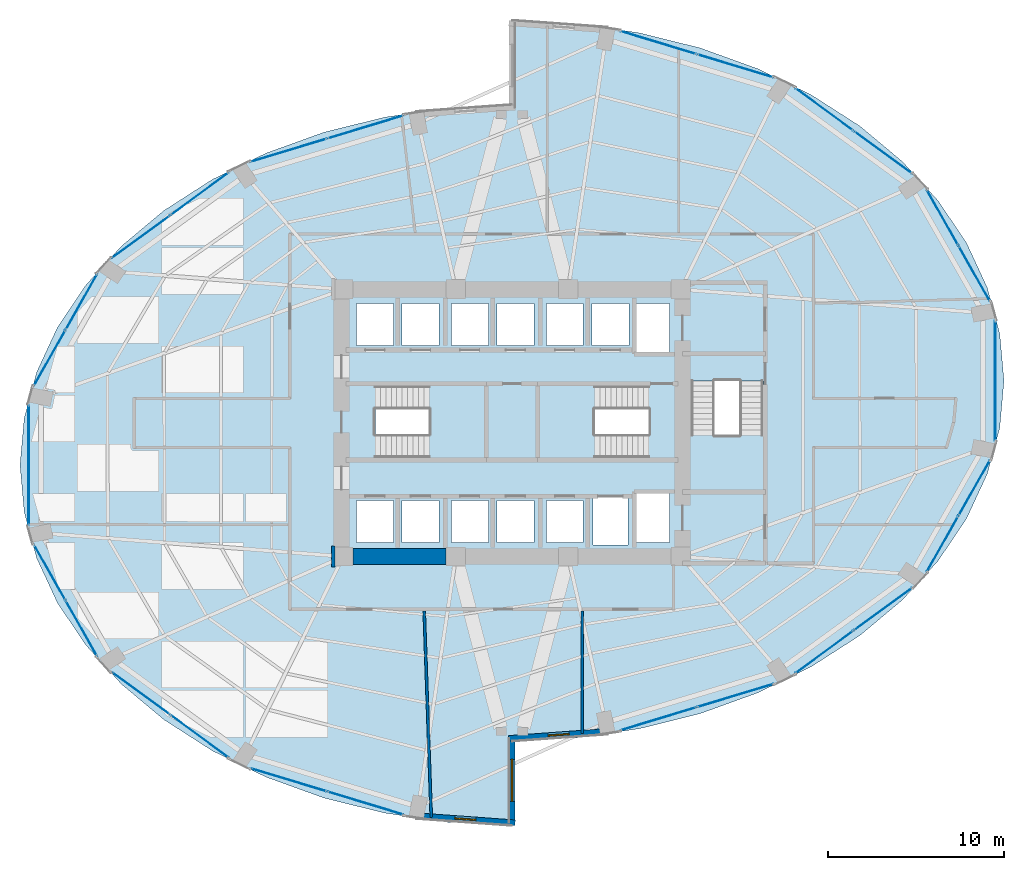
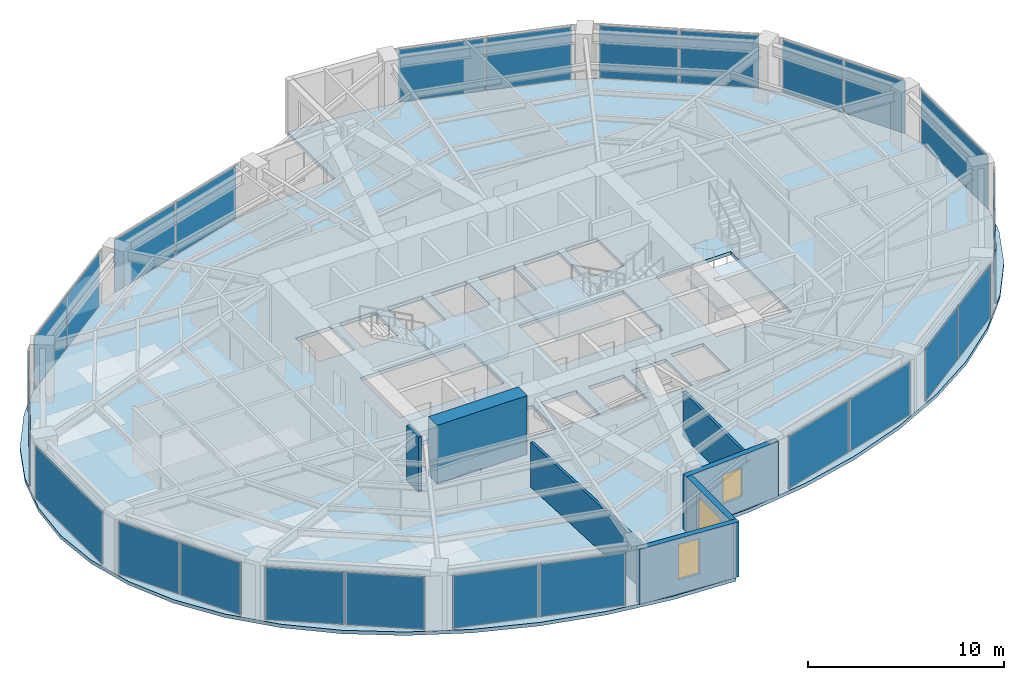
# One storey, part 19 of 24: 26 plates, 7 walls, 4 slabs, 3 windows, 3 openings, 17 elements without a shape of their own.
"""IFC4 building model written with IfcOpenShell, lengths in metres."""

from ifc_helpers import new_model, si_unit, direction, frame, frame_2d, origin, origin_2d, place, context, subcontext, project, spatial, polyline, rectangle, outline, extrude, material, layer, layer_set, type_object, element, fill, aggregate, save


model = new_model("IFC4")

# Units and contexts
model_context = context("Model", 3, precision=1e-05, world=origin(), true_north=direction((0.0, 1.0)))
body_context = subcontext(model_context, "Body", "Model", "MODEL_VIEW")
ifc_project = project(units=[si_unit("LENGTHUNIT", "METRE"), si_unit("AREAUNIT", "SQUARE_METRE"), si_unit("VOLUMEUNIT", "CUBIC_METRE"), si_unit("PLANEANGLEUNIT", "RADIAN"), si_unit("MASSUNIT", "GRAM", prefix="KILO")], contexts=[model_context])

# Site, building, storey
site_placement = place(None, origin())
site = spatial("IfcSite", under=ifc_project, at=site_placement, CompositionType="ELEMENT")
building_placement = place(site_placement, origin())
building = spatial("IfcBuilding", under=site, at=building_placement, Name="Lazwardi Medical Tower", CompositionType="ELEMENT")
storey_placement = place(building_placement, frame((0.0, 0.0, 68.97607421875)))
storey = spatial("IfcBuildingStorey", under=building, at=storey_placement, Name="L17", CompositionType="ELEMENT", Elevation=68.97607421875)

# Curtain wall, plates
ifc_material_1 = material(Name="Anodised bronze aluminium and solar control glazing", Category="aluminium")
ifc_layer_1 = layer(ifc_material_1, 0.199951171875)
ifc_layer_set_1 = layer_set([ifc_layer_1], Name="Anodised bronze aluminium and solar control glazing")
curtain_wall_type = type_object("IfcCurtainWallType", Name="CW-SYS-02", PredefinedType="NOTDEFINED", material=ifc_layer_set_1)
curtain_wall_1_placement = place(storey_placement, origin())
curtain_wall_1 = element("IfcCurtainWall", 1, at=curtain_wall_1_placement, inside=storey, type_object=curtain_wall_type, Name="L17 Unitised bronze curtain wall CW-02", PredefinedType="NOTDEFINED")
ifc_material_2 = material(Name="Low-e bronze solar control double glazing", Category="glass")
ifc_layer_2 = layer(ifc_material_2, 0.035888671875)
ifc_layer_set_2 = layer_set([ifc_layer_2], Name="Low-e bronze solar control double glazing")
plate_type = type_object("IfcPlateType", Name="PLT-GLZ-01", PredefinedType="CURTAIN_PANEL", material=ifc_layer_set_2)
plate_1_placement = place(storey_placement, frame((44.335693359375, 11.158935546875, 0.07470703125), z_axis=(0.0, 0.0, 1.0), x_axis=(0.957058247129, 0.2898956909, 0.0)))
plate_1 = element("IfcPlate", 2, at=plate_1_placement, type_object=plate_type, Name="CW-02 panel 1.1", PredefinedType="CURTAIN_PANEL", context=body_context, shape_type="SweptSolid", body=[
    extrude(rectangle(XDim=4.49658203125, YDim=0.035888671875, at=origin_2d()), origin(), (0.0, 0.0, 1.0), 3.278076171875),
])
plate_2_placement = place(storey_placement, frame((48.7109375, 12.484130859375, 0.07470703125), z_axis=(0.0, 0.0, 1.0), x_axis=(0.957058247129, 0.2898956909, 0.0)))
plate_2 = element("IfcPlate", 3, at=plate_2_placement, type_object=plate_type, Name="CW-02 panel 2.1", PredefinedType="CURTAIN_PANEL", context=body_context, shape_type="SweptSolid", body=[
    extrude(rectangle(XDim=4.49658203125, YDim=0.035888671875, at=origin_2d()), origin(), (0.0, 0.0, 1.0), 3.278076171875),
])
aggregate(curtain_wall_1, [plate_1, plate_2])

curtain_wall_2_placement = place(storey_placement, origin())
curtain_wall_2 = element("IfcCurtainWall", 4, at=curtain_wall_2_placement, inside=storey, type_object=curtain_wall_type, Name="L17 Unitised bronze curtain wall CW-02", PredefinedType="NOTDEFINED")
plate_3_placement = place(storey_placement, frame((53.771484375, 14.957275390625, 0.07470703125), z_axis=(0.0, 0.0, 1.0), x_axis=(0.807191757663, 0.590289307341, 0.0)))
plate_3 = element("IfcPlate", 5, at=plate_3_placement, type_object=plate_type, Name="CW-02 panel 1.1", PredefinedType="CURTAIN_PANEL", context=body_context, shape_type="SweptSolid", body=[
    extrude(rectangle(XDim=4.070068359375, YDim=0.035888671875, at=origin_2d()), origin(), (0.0, 0.0, 1.0), 3.278076171875),
])
plate_4_placement = place(storey_placement, frame((57.117431640625, 17.404052734375, 0.07470703125), z_axis=(0.0, 0.0, 1.0), x_axis=(0.807191757663, 0.590289307341, 0.0)))
plate_4 = element("IfcPlate", 6, at=plate_4_placement, type_object=plate_type, Name="CW-02 panel 2.1", PredefinedType="CURTAIN_PANEL", context=body_context, shape_type="SweptSolid", body=[
    extrude(rectangle(XDim=4.070068359375, YDim=0.035888671875, at=origin_2d()), origin(), (0.0, 0.0, 1.0), 3.278076171875),
])
aggregate(curtain_wall_2, [plate_3, plate_4])

curtain_wall_3_placement = place(storey_placement, origin())
curtain_wall_3 = element("IfcCurtainWall", 7, at=curtain_wall_3_placement, inside=storey, type_object=curtain_wall_type, Name="L17 Unitised bronze curtain wall CW-02", PredefinedType="NOTDEFINED")
plate_5_placement = place(storey_placement, frame((60.5009765625, 21.10791015625, 0.07470703125), z_axis=(0.0, 0.0, 1.0), x_axis=(0.492854327303, 0.870111838823, 0.0)))
plate_5 = element("IfcPlate", 8, at=plate_5_placement, type_object=plate_type, Name="CW-02 panel 1.1", PredefinedType="CURTAIN_PANEL", context=body_context, shape_type="SweptSolid", body=[
    extrude(rectangle(XDim=3.5947265625, YDim=0.035888671875, at=origin_2d()), origin(), (0.0, 0.0, 1.0), 3.278076171875),
])
plate_6_placement = place(storey_placement, frame((62.3095703125, 24.301025390625, 0.07470703125), z_axis=(0.0, 0.0, 1.0), x_axis=(0.492854327303, 0.870111838823, 0.0)))
plate_6 = element("IfcPlate", 9, at=plate_6_placement, type_object=plate_type, Name="CW-02 panel 2.1", PredefinedType="CURTAIN_PANEL", context=body_context, shape_type="SweptSolid", body=[
    extrude(rectangle(XDim=3.5947265625, YDim=0.035888671875, at=origin_2d()), origin(), (0.0, 0.0, 1.0), 3.278076171875),
])
aggregate(curtain_wall_3, [plate_5, plate_6])

# Curtain wall, plate
curtain_wall_4_placement = place(storey_placement, origin())
curtain_wall_4 = element("IfcCurtainWall", 10, at=curtain_wall_4_placement, inside=storey, type_object=curtain_wall_type, Name="L17 Unitised bronze curtain wall CW-02", PredefinedType="NOTDEFINED")
plate_7_placement = place(storey_placement, frame((63.49853515625, 30.39990234375, 0.07470703125), z_axis=(0.0, 0.0, 1.0), x_axis=(0.0, 1.0, 0.0)))
plate_7 = element("IfcPlate", 11, at=plate_7_placement, type_object=plate_type, Name="CW-02 panel 1.1", PredefinedType="CURTAIN_PANEL", context=body_context, shape_type="SweptSolid", body=[
    extrude(rectangle(XDim=6.8330078125, YDim=0.035888671875, at=origin_2d()), origin(), (0.0, 0.0, 1.0), 3.278076171875),
])
aggregate(curtain_wall_4, [plate_7])

# Curtain wall, plates
curtain_wall_5_placement = place(storey_placement, origin())
curtain_wall_5 = element("IfcCurtainWall", 12, at=curtain_wall_5_placement, inside=storey, type_object=curtain_wall_type, Name="L17 Unitised bronze curtain wall CW-02", PredefinedType="NOTDEFINED")
plate_8_placement = place(storey_placement, frame((62.3095703125, 36.498779296875, 0.07470703125), z_axis=(0.0, 0.0, 1.0), x_axis=(-0.492854327303, 0.870111838823, 0.0)))
plate_8 = element("IfcPlate", 13, at=plate_8_placement, type_object=plate_type, Name="CW-02 panel 1.1", PredefinedType="CURTAIN_PANEL", context=body_context, shape_type="SweptSolid", body=[
    extrude(rectangle(XDim=3.5947265625, YDim=0.035888671875, at=origin_2d()), origin(), (0.0, 0.0, 1.0), 3.278076171875),
])
plate_9_placement = place(storey_placement, frame((60.5009765625, 39.69189453125, 0.07470703125), z_axis=(0.0, 0.0, 1.0), x_axis=(-0.492854327303, 0.870111838823, 0.0)))
plate_9 = element("IfcPlate", 14, at=plate_9_placement, type_object=plate_type, Name="CW-02 panel 2.1", PredefinedType="CURTAIN_PANEL", context=body_context, shape_type="SweptSolid", body=[
    extrude(rectangle(XDim=3.5947265625, YDim=0.035888671875, at=origin_2d()), origin(), (0.0, 0.0, 1.0), 3.278076171875),
])
aggregate(curtain_wall_5, [plate_8, plate_9])

curtain_wall_6_placement = place(storey_placement, origin())
curtain_wall_6 = element("IfcCurtainWall", 15, at=curtain_wall_6_placement, inside=storey, type_object=curtain_wall_type, Name="L17 Unitised bronze curtain wall CW-02", PredefinedType="NOTDEFINED")
plate_10_placement = place(storey_placement, frame((57.117431640625, 43.39599609375, 0.07470703125), z_axis=(0.0, 0.0, 1.0), x_axis=(-0.807191757663, 0.590289307341, 0.0)))
plate_10 = element("IfcPlate", 16, at=plate_10_placement, type_object=plate_type, Name="CW-02 panel 1.1", PredefinedType="CURTAIN_PANEL", context=body_context, shape_type="SweptSolid", body=[
    extrude(rectangle(XDim=4.070068359375, YDim=0.035888671875, at=origin_2d()), origin(), (0.0, 0.0, 1.0), 3.278076171875),
])
plate_11_placement = place(storey_placement, frame((53.771484375, 45.8427734375, 0.07470703125), z_axis=(0.0, 0.0, 1.0), x_axis=(-0.807191757663, 0.590289307341, 0.0)))
plate_11 = element("IfcPlate", 17, at=plate_11_placement, type_object=plate_type, Name="CW-02 panel 2.1", PredefinedType="CURTAIN_PANEL", context=body_context, shape_type="SweptSolid", body=[
    extrude(rectangle(XDim=4.070068359375, YDim=0.035888671875, at=origin_2d()), origin(), (0.0, 0.0, 1.0), 3.278076171875),
])
aggregate(curtain_wall_6, [plate_10, plate_11])

curtain_wall_7_placement = place(storey_placement, origin())
curtain_wall_7 = element("IfcCurtainWall", 18, at=curtain_wall_7_placement, inside=storey, type_object=curtain_wall_type, Name="L17 Unitised bronze curtain wall CW-02", PredefinedType="NOTDEFINED")
plate_12_placement = place(storey_placement, frame((48.7109375, 48.31591796875, 0.07470703125), z_axis=(0.0, 0.0, 1.0), x_axis=(-0.957058247129, 0.2898956909, 0.0)))
plate_12 = element("IfcPlate", 19, at=plate_12_placement, type_object=plate_type, Name="CW-02 panel 1.1", PredefinedType="CURTAIN_PANEL", context=body_context, shape_type="SweptSolid", body=[
    extrude(rectangle(XDim=4.49658203125, YDim=0.035888671875, at=origin_2d()), origin(), (0.0, 0.0, 1.0), 3.278076171875),
])
plate_13_placement = place(storey_placement, frame((44.335693359375, 49.64111328125, 0.07470703125), z_axis=(0.0, 0.0, 1.0), x_axis=(-0.957058247129, 0.2898956909, 0.0)))
plate_13 = element("IfcPlate", 20, at=plate_13_placement, type_object=plate_type, Name="CW-02 panel 2.1", PredefinedType="CURTAIN_PANEL", context=body_context, shape_type="SweptSolid", body=[
    extrude(rectangle(XDim=4.49658203125, YDim=0.035888671875, at=origin_2d()), origin(), (0.0, 0.0, 1.0), 3.278076171875),
])
aggregate(curtain_wall_7, [plate_12, plate_13])

curtain_wall_8_placement = place(storey_placement, origin())
curtain_wall_8 = element("IfcCurtainWall", 21, at=curtain_wall_8_placement, inside=storey, type_object=curtain_wall_type, Name="L17 Unitised bronze curtain wall CW-02", PredefinedType="NOTDEFINED")
plate_14_placement = place(storey_placement, frame((27.664306640625, 44.841064453125, 0.07470703125), z_axis=(0.0, 0.0, 1.0), x_axis=(-0.957058247129, -0.2898956909, 0.0)))
plate_14 = element("IfcPlate", 22, at=plate_14_placement, type_object=plate_type, Name="CW-02 panel 1.1", PredefinedType="CURTAIN_PANEL", context=body_context, shape_type="SweptSolid", body=[
    extrude(rectangle(XDim=4.49658203125, YDim=0.035888671875, at=origin_2d()), origin(), (0.0, 0.0, 1.0), 3.278076171875),
])
plate_15_placement = place(storey_placement, frame((23.2890625, 43.515869140625, 0.07470703125), z_axis=(0.0, 0.0, 1.0), x_axis=(-0.957058247129, -0.2898956909, 0.0)))
plate_15 = element("IfcPlate", 23, at=plate_15_placement, type_object=plate_type, Name="CW-02 panel 2.1", PredefinedType="CURTAIN_PANEL", context=body_context, shape_type="SweptSolid", body=[
    extrude(rectangle(XDim=4.49658203125, YDim=0.035888671875, at=origin_2d()), origin(), (0.0, 0.0, 1.0), 3.278076171875),
])
aggregate(curtain_wall_8, [plate_14, plate_15])

curtain_wall_9_placement = place(storey_placement, origin())
curtain_wall_9 = element("IfcCurtainWall", 24, at=curtain_wall_9_placement, inside=storey, type_object=curtain_wall_type, Name="L17 Unitised bronze curtain wall CW-02", PredefinedType="NOTDEFINED")
plate_16_placement = place(storey_placement, frame((18.228515625, 41.042724609375, 0.07470703125), z_axis=(0.0, 0.0, 1.0), x_axis=(-0.807191757663, -0.590289307341, 0.0)))
plate_16 = element("IfcPlate", 25, at=plate_16_placement, type_object=plate_type, Name="CW-02 panel 1.1", PredefinedType="CURTAIN_PANEL", context=body_context, shape_type="SweptSolid", body=[
    extrude(rectangle(XDim=4.070068359375, YDim=0.035888671875, at=origin_2d()), origin(), (0.0, 0.0, 1.0), 3.278076171875),
])
plate_17_placement = place(storey_placement, frame((14.882568359375, 38.595947265625, 0.07470703125), z_axis=(0.0, 0.0, 1.0), x_axis=(-0.807191757663, -0.590289307341, 0.0)))
plate_17 = element("IfcPlate", 26, at=plate_17_placement, type_object=plate_type, Name="CW-02 panel 2.1", PredefinedType="CURTAIN_PANEL", context=body_context, shape_type="SweptSolid", body=[
    extrude(rectangle(XDim=4.070068359375, YDim=0.035888671875, at=origin_2d()), origin(), (0.0, 0.0, 1.0), 3.278076171875),
])
aggregate(curtain_wall_9, [plate_16, plate_17])

curtain_wall_10_placement = place(storey_placement, origin())
curtain_wall_10 = element("IfcCurtainWall", 27, at=curtain_wall_10_placement, inside=storey, type_object=curtain_wall_type, Name="L17 Unitised bronze curtain wall CW-02", PredefinedType="NOTDEFINED")
plate_18_placement = place(storey_placement, frame((11.4990234375, 34.89208984375, 0.07470703125), z_axis=(0.0, 0.0, 1.0), x_axis=(-0.492854327303, -0.870111838823, 0.0)))
plate_18 = element("IfcPlate", 28, at=plate_18_placement, type_object=plate_type, Name="CW-02 panel 1.1", PredefinedType="CURTAIN_PANEL", context=body_context, shape_type="SweptSolid", body=[
    extrude(rectangle(XDim=3.5947265625, YDim=0.035888671875, at=origin_2d()), origin(), (0.0, 0.0, 1.0), 3.278076171875),
])
plate_19_placement = place(storey_placement, frame((9.6904296875, 31.698974609375, 0.07470703125), z_axis=(0.0, 0.0, 1.0), x_axis=(-0.492854327303, -0.870111838823, 0.0)))
plate_19 = element("IfcPlate", 29, at=plate_19_placement, type_object=plate_type, Name="CW-02 panel 2.1", PredefinedType="CURTAIN_PANEL", context=body_context, shape_type="SweptSolid", body=[
    extrude(rectangle(XDim=3.5947265625, YDim=0.035888671875, at=origin_2d()), origin(), (0.0, 0.0, 1.0), 3.278076171875),
])
aggregate(curtain_wall_10, [plate_18, plate_19])

# Curtain wall, plate
curtain_wall_11_placement = place(storey_placement, origin())
curtain_wall_11 = element("IfcCurtainWall", 30, at=curtain_wall_11_placement, inside=storey, type_object=curtain_wall_type, Name="L17 Unitised bronze curtain wall CW-02", PredefinedType="NOTDEFINED")
plate_20_placement = place(storey_placement, frame((8.50146484375, 25.60009765625, 0.07470703125), z_axis=(0.0, 0.0, 1.0), x_axis=(0.0, -1.0, 0.0)))
plate_20 = element("IfcPlate", 31, at=plate_20_placement, type_object=plate_type, Name="CW-02 panel 1.1", PredefinedType="CURTAIN_PANEL", context=body_context, shape_type="SweptSolid", body=[
    extrude(rectangle(XDim=6.8330078125, YDim=0.035888671875, at=origin_2d()), origin(), (0.0, 0.0, 1.0), 3.278076171875),
])
aggregate(curtain_wall_11, [plate_20])

# Curtain wall, plates
curtain_wall_12_placement = place(storey_placement, origin())
curtain_wall_12 = element("IfcCurtainWall", 32, at=curtain_wall_12_placement, inside=storey, type_object=curtain_wall_type, Name="L17 Unitised bronze curtain wall CW-02", PredefinedType="NOTDEFINED")
plate_21_placement = place(storey_placement, frame((9.6904296875, 19.501220703125, 0.07470703125), z_axis=(0.0, 0.0, 1.0), x_axis=(0.492854327303, -0.870111838823, 0.0)))
plate_21 = element("IfcPlate", 33, at=plate_21_placement, type_object=plate_type, Name="CW-02 panel 1.1", PredefinedType="CURTAIN_PANEL", context=body_context, shape_type="SweptSolid", body=[
    extrude(rectangle(XDim=3.5947265625, YDim=0.035888671875, at=origin_2d()), origin(), (0.0, 0.0, 1.0), 3.278076171875),
])
plate_22_placement = place(storey_placement, frame((11.4990234375, 16.30810546875, 0.07470703125), z_axis=(0.0, 0.0, 1.0), x_axis=(0.492854327303, -0.870111838823, 0.0)))
plate_22 = element("IfcPlate", 34, at=plate_22_placement, type_object=plate_type, Name="CW-02 panel 2.1", PredefinedType="CURTAIN_PANEL", context=body_context, shape_type="SweptSolid", body=[
    extrude(rectangle(XDim=3.5947265625, YDim=0.035888671875, at=origin_2d()), origin(), (0.0, 0.0, 1.0), 3.278076171875),
])
aggregate(curtain_wall_12, [plate_21, plate_22])

curtain_wall_13_placement = place(storey_placement, origin())
curtain_wall_13 = element("IfcCurtainWall", 35, at=curtain_wall_13_placement, inside=storey, type_object=curtain_wall_type, Name="L17 Unitised bronze curtain wall CW-02", PredefinedType="NOTDEFINED")
plate_23_placement = place(storey_placement, frame((14.882568359375, 12.60400390625, 0.07470703125), z_axis=(0.0, 0.0, 1.0), x_axis=(0.807191757663, -0.590289307341, 0.0)))
plate_23 = element("IfcPlate", 36, at=plate_23_placement, type_object=plate_type, Name="CW-02 panel 1.1", PredefinedType="CURTAIN_PANEL", context=body_context, shape_type="SweptSolid", body=[
    extrude(rectangle(XDim=4.070068359375, YDim=0.035888671875, at=origin_2d()), origin(), (0.0, 0.0, 1.0), 3.278076171875),
])
plate_24_placement = place(storey_placement, frame((18.228515625, 10.1572265625, 0.07470703125), z_axis=(0.0, 0.0, 1.0), x_axis=(0.807191757663, -0.590289307341, 0.0)))
plate_24 = element("IfcPlate", 37, at=plate_24_placement, type_object=plate_type, Name="CW-02 panel 2.1", PredefinedType="CURTAIN_PANEL", context=body_context, shape_type="SweptSolid", body=[
    extrude(rectangle(XDim=4.070068359375, YDim=0.035888671875, at=origin_2d()), origin(), (0.0, 0.0, 1.0), 3.278076171875),
])
aggregate(curtain_wall_13, [plate_23, plate_24])

curtain_wall_14_placement = place(storey_placement, origin())
curtain_wall_14 = element("IfcCurtainWall", 38, at=curtain_wall_14_placement, inside=storey, type_object=curtain_wall_type, Name="L17 Unitised bronze curtain wall CW-02", PredefinedType="NOTDEFINED")
plate_25_placement = place(storey_placement, frame((23.2890625, 7.68408203125, 0.07470703125), z_axis=(0.0, 0.0, 1.0), x_axis=(0.957058247129, -0.2898956909, 0.0)))
plate_25 = element("IfcPlate", 39, at=plate_25_placement, type_object=plate_type, Name="CW-02 panel 1.1", PredefinedType="CURTAIN_PANEL", context=body_context, shape_type="SweptSolid", body=[
    extrude(rectangle(XDim=4.49658203125, YDim=0.035888671875, at=origin_2d()), origin(), (0.0, 0.0, 1.0), 3.278076171875),
])
plate_26_placement = place(storey_placement, frame((27.664306640625, 6.35888671875, 0.07470703125), z_axis=(0.0, 0.0, 1.0), x_axis=(0.957058247129, -0.2898956909, 0.0)))
plate_26 = element("IfcPlate", 40, at=plate_26_placement, type_object=plate_type, Name="CW-02 panel 2.1", PredefinedType="CURTAIN_PANEL", context=body_context, shape_type="SweptSolid", body=[
    extrude(rectangle(XDim=4.49658203125, YDim=0.035888671875, at=origin_2d()), origin(), (0.0, 0.0, 1.0), 3.278076171875),
])
aggregate(curtain_wall_14, [plate_25, plate_26])

# Stair, slab
ifc_material_3 = material(Name="Concrete C45/55", Category="concrete")
stair_type = type_object("IfcStairType", Name="STR-WRD", PredefinedType="HALF_TURN_STAIR", material=ifc_material_3)
stair_1_placement = place(storey_placement, origin())
stair_1 = element("IfcStair", 41, at=stair_1_placement, inside=storey, type_object=stair_type, Name="L17 Protected Exit Stair ST1", PredefinedType="HALF_TURN_STAIR")
ifc_layer_3 = layer(ifc_material_3, 0.199951171875)
ifc_layer_set_3 = layer_set([ifc_layer_3], Name="Concrete C45/55")
slab_type_1 = type_object("IfcSlabType", Name="SLB-LND-190", PredefinedType="LANDING", material=ifc_layer_set_3)
slab_1_placement = place(storey_placement, frame((0.0, 0.0, 1.6240234375)))
slab_1 = element("IfcSlab", 42, at=slab_1_placement, type_object=slab_type_1, Name="ST1 landing 1", PredefinedType="LANDING", context=body_context, shape_type="SweptSolid", body=[
    extrude(outline(polyline([(31.27490234375, 25.840087890625), (34.580078125, 25.840087890625), (34.580078125, 30.280029296875), (31.27490234375, 30.280029296875), (31.27490234375, 25.840087890625)])), origin(), (0.0, 0.0, 1.0), 0.199951171875),
])
aggregate(stair_1, [slab_1])

stair_2_placement = place(storey_placement, origin())
stair_2 = element("IfcStair", 43, at=stair_2_placement, inside=storey, type_object=stair_type, Name="L17 Protected Exit Stair ST2", PredefinedType="HALF_TURN_STAIR")
slab_2_placement = place(storey_placement, frame((0.0, 0.0, 1.6240234375)))
slab_2 = element("IfcSlab", 44, at=slab_2_placement, type_object=slab_type_1, Name="ST2 landing 1", PredefinedType="LANDING", context=body_context, shape_type="SweptSolid", body=[
    extrude(outline(polyline([(40.72509765625, 30.280029296875), (37.419921875, 30.280029296875), (37.419921875, 25.840087890625), (40.72509765625, 25.840087890625), (40.72509765625, 30.280029296875)])), origin(), (0.0, 0.0, 1.0), 0.199951171875),
])
aggregate(stair_2, [slab_2])

stair_3_placement = place(storey_placement, origin())
stair_3 = element("IfcStair", 45, at=stair_3_placement, inside=storey, type_object=stair_type, Name="L17 Protected Exit Stair ST3", PredefinedType="HALF_TURN_STAIR")
slab_3_placement = place(storey_placement, frame((0.0, 0.0, 1.6240234375)))
slab_3 = element("IfcSlab", 46, at=slab_3_placement, type_object=slab_type_1, Name="ST3 landing 1", PredefinedType="LANDING", context=body_context, shape_type="SweptSolid", body=[
    extrude(outline(polyline([(45.860107421875, 27.324951171875), (45.860107421875, 24.02001953125), (50.4599609375, 24.02001953125), (50.4599609375, 27.324951171875), (45.860107421875, 27.324951171875)])), origin(), (0.0, 0.0, 1.0), 0.199951171875),
])
aggregate(stair_3, [slab_3])

# Slab
ifc_material_4 = material(Name="Concrete C50/60", Category="concrete")
ifc_layer_4 = layer(ifc_material_4, 0.219970703125)
ifc_layer_set_4 = layer_set([ifc_layer_4], Name="Concrete C50/60")
slab_type_2 = type_object("IfcSlabType", Name="SLB-WRD-220", PredefinedType="FLOOR", material=ifc_layer_set_4)
slab_4_placement = place(storey_placement, frame((0.0, 0.0, -0.219970703125)))
element("IfcSlab", 47, at=slab_4_placement, inside=storey, type_object=slab_type_2, Name="Structural floor slab SF-03 L17", PredefinedType="FLOOR", context=body_context, shape_type="SweptSolid", body=[
    extrude(outline(polyline([(10.13134765625, 33.445068359375), (8.9541015625, 30.90576171875), (8.239501953125, 28.27587890625), (8.0, 25.60009765625), (8.239501953125, 22.92431640625), (8.9541015625, 20.294189453125), (10.13134765625, 17.7548828125), (11.751220703125, 15.35009765625), (13.7861328125, 13.120361328125), (16.200927734375, 11.104248046875), (18.95458984375, 9.336181640625), (22.0, 7.846435546875), (25.284912109375, 6.660400390625), (28.753173828125, 5.798583984375), (32.34521484375, 5.275390625), (36.0, 5.10009765625), (36.0, 9.89990234375), (39.65478515625, 10.075439453125), (43.246826171875, 10.598388671875), (46.715087890625, 11.46044921875), (50.0, 12.646484375), (53.04541015625, 14.13623046875), (55.799072265625, 15.904296875), (58.2138671875, 17.92041015625), (60.248779296875, 20.14990234375), (61.86865234375, 22.554931640625), (63.0458984375, 25.09423828125), (63.760498046875, 27.72412109375), (64.0, 30.39990234375), (63.760498046875, 33.07568359375), (63.0458984375, 35.705810546875), (61.86865234375, 38.2451171875), (60.248779296875, 40.64990234375), (58.2138671875, 42.879638671875), (55.799072265625, 44.895751953125), (53.04541015625, 46.663818359375), (50.0, 48.153564453125), (46.715087890625, 49.339599609375), (43.246826171875, 50.201416015625), (39.65478515625, 50.724609375), (36.0, 50.89990234375), (36.0, 46.10009765625), (32.34521484375, 45.924560546875), (28.753173828125, 45.401611328125), (25.284912109375, 44.53955078125), (22.0, 43.353515625), (18.95458984375, 41.86376953125), (16.200927734375, 40.095703125), (13.7861328125, 38.07958984375), (11.751220703125, 35.85009765625), (10.13134765625, 33.445068359375)]), holes=[polyline([(28.22509765625, 26.02001953125), (28.22509765625, 30.10009765625), (34.39990234375, 30.10009765625), (34.39990234375, 26.02001953125), (28.22509765625, 26.02001953125)]), polyline([(37.60009765625, 30.10009765625), (43.77490234375, 30.10009765625), (43.77490234375, 26.02001953125), (37.60009765625, 26.02001953125), (37.60009765625, 30.10009765625)]), polyline([(50.280029296875, 30.375), (50.280029296875, 24.179931640625), (45.840087890625, 24.179931640625), (45.840087890625, 30.375), (50.280029296875, 30.375)]), polyline([(29.25, 32.39990234375), (27.14990234375, 32.39990234375), (27.14990234375, 34.800048828125), (29.25, 34.800048828125), (29.25, 32.39990234375)]), polyline([(29.75, 32.39990234375), (29.75, 34.800048828125), (31.85009765625, 34.800048828125), (31.85009765625, 32.39990234375), (29.75, 32.39990234375)]), polyline([(27.14990234375, 23.60009765625), (29.25, 23.60009765625), (29.25, 21.199951171875), (27.14990234375, 21.199951171875), (27.14990234375, 23.60009765625)]), polyline([(31.85009765625, 23.60009765625), (31.85009765625, 21.199951171875), (29.75, 21.199951171875), (29.75, 23.60009765625), (31.85009765625, 23.60009765625)]), polyline([(34.64990234375, 32.39990234375), (32.550048828125, 32.39990234375), (32.550048828125, 34.800048828125), (34.64990234375, 34.800048828125), (34.64990234375, 32.39990234375)]), polyline([(35.14990234375, 32.39990234375), (35.14990234375, 34.800048828125), (37.25, 34.800048828125), (37.25, 32.39990234375), (35.14990234375, 32.39990234375)]), polyline([(32.550048828125, 23.60009765625), (34.64990234375, 23.60009765625), (34.64990234375, 21.199951171875), (32.550048828125, 21.199951171875), (32.550048828125, 23.60009765625)]), polyline([(37.25, 23.60009765625), (37.25, 21.199951171875), (35.14990234375, 21.199951171875), (35.14990234375, 23.60009765625), (37.25, 23.60009765625)]), polyline([(40.050048828125, 32.39990234375), (37.949951171875, 32.39990234375), (37.949951171875, 34.800048828125), (40.050048828125, 34.800048828125), (40.050048828125, 32.39990234375)]), polyline([(40.550048828125, 32.39990234375), (40.550048828125, 34.800048828125), (42.64990234375, 34.800048828125), (42.64990234375, 32.39990234375), (40.550048828125, 32.39990234375)]), polyline([(37.949951171875, 23.60009765625), (40.050048828125, 23.60009765625), (40.050048828125, 21.199951171875), (37.949951171875, 21.199951171875), (37.949951171875, 23.60009765625)]), polyline([(44.949951171875, 34.800048828125), (44.949951171875, 32.0), (43.050048828125, 32.0), (43.050048828125, 34.800048828125), (44.949951171875, 34.800048828125)]), polyline([(44.949951171875, 21.199951171875), (43.050048828125, 21.199951171875), (43.050048828125, 24.0), (44.949951171875, 24.0), (44.949951171875, 21.199951171875)]), polyline([(40.60009765625, 21.050048828125), (40.60009765625, 23.75), (42.60009765625, 23.75), (42.60009765625, 21.050048828125), (40.60009765625, 21.050048828125)])]), origin(), (0.0, 0.0, 1.0), 0.219970703125),
])

# Walls
ifc_material_5 = material(Name="Fire-rated gypsum board on steel stud", Category="steel")
ifc_layer_5 = layer(ifc_material_5, 0.179931640625)
ifc_layer_set_5 = layer_set([ifc_layer_5], Name="Fire-rated gypsum board on steel stud")
wall_type_1 = type_object("IfcWallType", Name="WL-COR-180", PredefinedType="PARTITIONING", material=ifc_layer_set_5)
wall_1_placement = place(storey_placement, frame((25.830078125, 21.010009765625, 0.0), z_axis=(0.0, 0.0, 1.0), x_axis=(0.0, -1.0, 0.0)))
element("IfcWall", 48, at=wall_1_placement, inside=storey, type_object=wall_type_1, Name="L17 Corridor partition 13", PredefinedType="PARTITIONING", context=body_context, shape_type="SweptSolid", body=[
    extrude(rectangle(XDim=1.219970703125, YDim=0.179931640625, at=frame_2d((0.60986328125, 0.0))), origin(), (0.0, 0.0, 1.0), 3.427978515625),
])
ifc_material_6 = material(Name="Concrete C80/95", Category="concrete")
ifc_layer_6 = layer(ifc_material_6, 0.89990234375)
ifc_layer_set_6 = layer_set([ifc_layer_6], Name="Concrete C80/95")
wall_type_2 = type_object("IfcWallType", Name="WL-CORE-900", PredefinedType="SHEAR", material=ifc_layer_set_6)
wall_2_placement = place(storey_placement, frame((26.949951171875, 20.39990234375, 0.0), z_axis=(0.0, 0.0, 1.0), x_axis=(1.0, 0.0, 0.0)))
element("IfcWall", 49, at=wall_2_placement, inside=storey, type_object=wall_type_2, Name="Core wall CW-S1 S1 L17", PredefinedType="SHEAR", context=body_context, shape_type="SweptSolid", body=[
    extrude(rectangle(XDim=5.300048828125, YDim=0.89990234375, at=frame_2d((2.64990234375, 0.0))), origin(), (0.0, 0.0, 1.0), 3.64794921875),
])

# Wall, opening, window
ifc_material_7 = material(Name="Precast concrete C45/55", Category="concrete")
ifc_layer_7 = layer(ifc_material_7, 0.320068359375)
ifc_layer_set_7 = layer_set([ifc_layer_7], Name="Precast concrete C45/55")
wall_type_3 = type_object("IfcWallType", Name="WL-IWAN-320", PredefinedType="SOLIDWALL", material=ifc_layer_set_7)
wall_3_placement = place(storey_placement, frame((35.820556640625, 10.047119140625, 0.0), z_axis=(0.0, 0.0, 1.0), x_axis=(0.997422321809, 0.071754525696, 0.0)))
wall_3 = element("IfcWall", 50, at=wall_3_placement, inside=storey, type_object=wall_type_3, Name="L17 Iwan Portal Return Wall SE_ret", PredefinedType="SOLIDWALL", context=body_context, shape_type="SweptSolid", body=[
    extrude(rectangle(XDim=5.67529296875, YDim=0.320068359375, at=frame_2d((2.837646484375, 0.0))), origin(), (0.0, 0.0, 1.0), 3.427978515625),
])
opening_1_placement = place(wall_3_placement, frame((2.23779296875, 0.0, 0.85009765625)))
opening_1 = element("IfcOpeningElement", 51, at=opening_1_placement, cuts=wall_3, Name="Opening WN-04", PredefinedType="OPENING", context=body_context, shape_type="SweptSolid", body=[
    extrude(rectangle(XDim=1.199951171875, YDim=1.800048828125, at=frame_2d((0.60009765625, 0.89990234375))), frame((0.0, 0.169921875, 0.0), z_axis=(0.0, -1.0, 0.0), x_axis=(1.0, 0.0, 0.0)), (0.0, 0.0, 1.0), 0.340087890625),
])
window_type_1 = type_object("IfcWindowType", Name="WIN-DRUM-1200", PartitioningType="SINGLE_PANEL", PredefinedType="WINDOW", material=ifc_material_2)
window_1_placement = place(opening_1_placement, origin())
window_1 = element("IfcWindow", 52, at=window_1_placement, inside=storey, type_object=window_type_1, Name="L17 Iwan Slot Window SE_ret", OverallHeight=1.800048828125, OverallWidth=1.199951171875, PartitioningType="SINGLE_PANEL", PredefinedType="WINDOW", context=body_context, shape_type="SweptSolid", body=[
    extrude(rectangle(XDim=1.199951171875, YDim=1.800048828125, at=frame_2d((0.60009765625, 0.89990234375))), frame((0.0, 0.030029296875, 0.0), z_axis=(0.0, -1.0, 0.0), x_axis=(1.0, 0.0, 0.0)), (0.0, 0.0, 1.0), 0.06005859375),
])
fill(opening_1, window_1)

wall_4_placement = place(storey_placement, frame((30.518798828125, 5.654296875, 0.0), z_axis=(0.0, 0.0, 1.0), x_axis=(0.997421878774, -0.071760683825, 0.0)))
wall_4 = element("IfcWall", 53, at=wall_4_placement, inside=storey, type_object=wall_type_3, Name="L17 Iwan Portal Return Wall SW_ret", PredefinedType="SOLIDWALL", context=body_context, shape_type="SweptSolid", body=[
    extrude(rectangle(XDim=5.6748046875, YDim=0.320068359375, at=frame_2d((2.83740234375, 0.0))), origin(), (0.0, 0.0, 1.0), 3.427978515625),
])
opening_2_placement = place(wall_4_placement, frame((2.2373046875, 0.0, 0.85009765625)))
opening_2 = element("IfcOpeningElement", 54, at=opening_2_placement, cuts=wall_4, Name="Opening WN-01", PredefinedType="OPENING", context=body_context, shape_type="SweptSolid", body=[
    extrude(rectangle(XDim=1.199951171875, YDim=2.199951171875, at=frame_2d((0.60009765625, 1.10009765625))), frame((0.0, 0.169921875, 0.0), z_axis=(0.0, -1.0, 0.0), x_axis=(1.0, 0.0, 0.0)), (0.0, 0.0, 1.0), 0.340087890625),
])
window_type_2 = type_object("IfcWindowType", Name="WIN-IW-1200", PartitioningType="SINGLE_PANEL", PredefinedType="WINDOW", material=ifc_material_2)
window_2_placement = place(opening_2_placement, origin())
window_2 = element("IfcWindow", 55, at=window_2_placement, inside=storey, type_object=window_type_2, Name="L17 Iwan Slot Window SW_ret", OverallHeight=2.199951171875, OverallWidth=1.199951171875, PartitioningType="SINGLE_PANEL", PredefinedType="WINDOW", context=body_context, shape_type="SweptSolid", body=[
    extrude(rectangle(XDim=1.199951171875, YDim=2.199951171875, at=frame_2d((0.60009765625, 1.10009765625))), frame((0.0, 0.030029296875, 0.0), z_axis=(0.0, -1.0, 0.0), x_axis=(1.0, 0.0, 0.0)), (0.0, 0.0, 1.0), 0.06005859375),
])
fill(opening_2, window_2)

wall_5_placement = place(storey_placement, frame((36.0, 5.10009765625, 0.0), z_axis=(0.0, 0.0, 1.0), x_axis=(0.0, 1.0, 0.0)))
wall_5 = element("IfcWall", 56, at=wall_5_placement, inside=storey, type_object=wall_type_3, Name="L17 Turquoise Tilework Iwan Seam Wall S_seam", PredefinedType="SOLIDWALL", context=body_context, shape_type="SweptSolid", body=[
    extrude(rectangle(XDim=5.119873046875, YDim=0.320068359375, at=frame_2d((2.56005859375, 0.0))), origin(), (0.0, 0.0, 1.0), 3.427978515625),
])
opening_3_placement = place(wall_5_placement, frame((1.360107421875, 0.0, 0.840087890625)))
opening_3 = element("IfcOpeningElement", 57, at=opening_3_placement, cuts=wall_5, Name="Opening WN-02", PredefinedType="OPENING", context=body_context, shape_type="SweptSolid", body=[
    extrude(rectangle(XDim=2.39990234375, YDim=2.0400390625, at=frame_2d((1.199951171875, 1.02001953125))), frame((0.0, 0.169921875, 0.0), z_axis=(0.0, -1.0, 0.0), x_axis=(1.0, 0.0, 0.0)), (0.0, 0.0, 1.0), 0.340087890625),
])
window_type_3 = type_object("IfcWindowType", Name="WIN-IW-2400", PartitioningType="SINGLE_PANEL", PredefinedType="WINDOW", material=ifc_material_2)
window_3_placement = place(opening_3_placement, origin())
window_3 = element("IfcWindow", 58, at=window_3_placement, inside=storey, type_object=window_type_3, Name="L17 Iwan Seam Window S_seam", OverallHeight=2.0400390625, OverallWidth=2.39990234375, PartitioningType="SINGLE_PANEL", PredefinedType="WINDOW", context=body_context, shape_type="SweptSolid", body=[
    extrude(rectangle(XDim=2.39990234375, YDim=2.0400390625, at=frame_2d((1.199951171875, 1.02001953125))), frame((0.0, 0.030029296875, 0.0), z_axis=(0.0, -1.0, 0.0), x_axis=(1.0, 0.0, 0.0)), (0.0, 0.0, 1.0), 0.06005859375),
])
fill(opening_3, window_3)

# Walls
ifc_material_8 = material(Name="Acoustic gypsum board partition")
ifc_layer_8 = layer(ifc_material_8, 0.14990234375)
ifc_layer_set_8 = layer_set([ifc_layer_8], Name="Acoustic gypsum board partition")
wall_type_4 = type_object("IfcWallType", Name="WL-WRD-150", PredefinedType="PARTITIONING", material=ifc_layer_set_8)
wall_6_placement = place(storey_placement, frame((31.405029296875, 5.55908203125, 0.0), z_axis=(0.0, 0.0, 1.0), x_axis=(-0.034219123574, 0.9994143543, 0.0)))
element("IfcWall", 59, at=wall_6_placement, inside=storey, type_object=wall_type_4, Name="L17 Room partition 7", PredefinedType="PARTITIONING", context=body_context, shape_type="SweptSolid", body=[
    extrude(rectangle(XDim=11.7578125, YDim=0.14990234375, at=frame_2d((5.87890625, 0.0))), origin(), (0.0, 0.0, 1.0), 2.81298828125),
])
wall_7_placement = place(storey_placement, frame((40.0, 10.337890625, 0.0), z_axis=(0.0, 0.0, 1.0), x_axis=(0.0, 1.0, 0.0)))
element("IfcWall", 60, at=wall_7_placement, inside=storey, type_object=wall_type_4, Name="L17 Room partition 8", PredefinedType="PARTITIONING", context=body_context, shape_type="SweptSolid", body=[
    extrude(rectangle(XDim=6.97216796875, YDim=0.14990234375, at=frame_2d((3.486083984375, 0.0))), origin(), (0.0, 0.0, 1.0), 2.81298828125),
])

save(model, "model.ifc")
